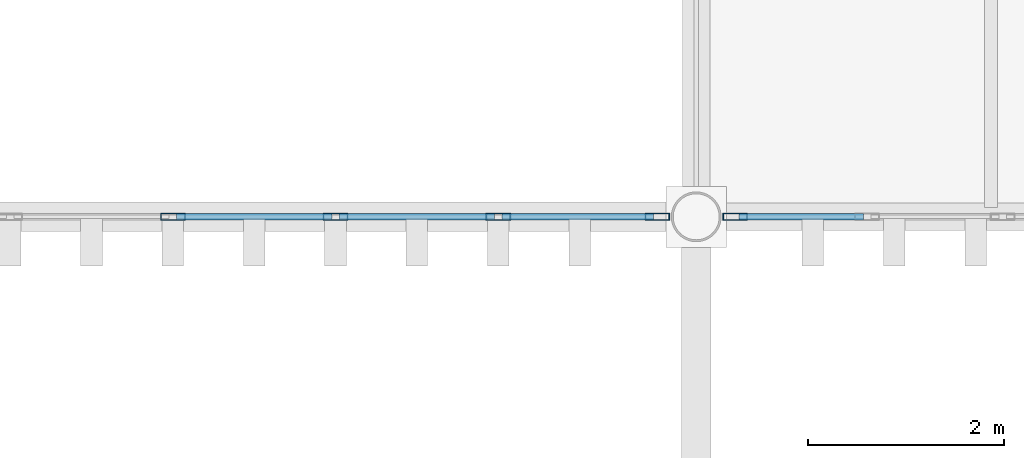
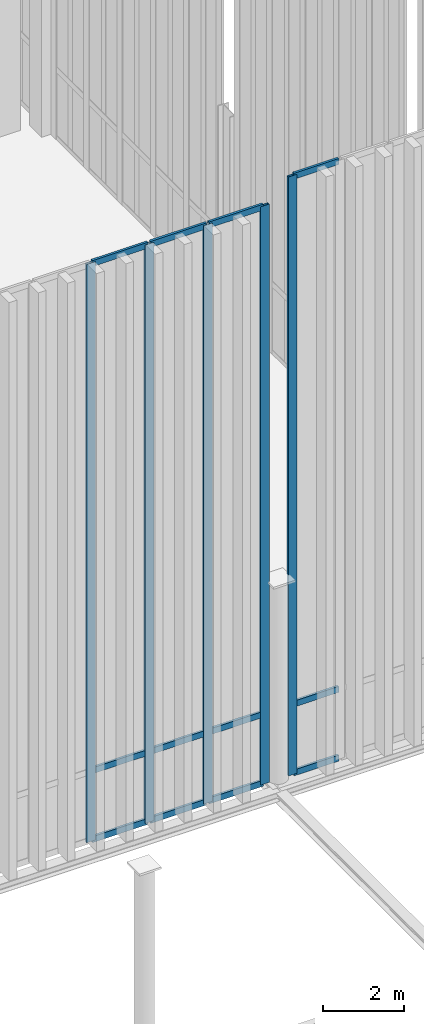
# One storey, part 45 of 237: 17 members, 2 elements without a shape of their own.
"""IFC4 building model written with IfcOpenShell, lengths in metres."""

from ifc_helpers import new_model, si_unit, direction, frame, origin, origin_2d, place, context, subcontext, project, spatial, hollow_rectangle, extrude, material, layer, layer_set, material_profile, profile_set, type_object, element, aggregate, save


model = new_model("IFC4")

# Units and contexts
model_context = context("Model", 3, precision=1e-05, world=origin(), true_north=direction((0.0, 1.0)))
body_context = subcontext(model_context, "Body", "Model", "MODEL_VIEW")
ifc_project = project(units=[si_unit("LENGTHUNIT", "METRE"), si_unit("AREAUNIT", "SQUARE_METRE"), si_unit("VOLUMEUNIT", "CUBIC_METRE"), si_unit("PLANEANGLEUNIT", "RADIAN"), si_unit("MASSUNIT", "GRAM", prefix="KILO")], contexts=[model_context])

# Site, building, storey
site_placement = place(None, origin())
site = spatial("IfcSite", under=ifc_project, at=site_placement, CompositionType="ELEMENT")
building_placement = place(site_placement, origin())
building = spatial("IfcBuilding", under=site, at=building_placement, Name="Barlavento Convention Centre", CompositionType="ELEMENT")
storey_placement = place(building_placement, frame((0.0, 0.0, 12.0)))
storey = spatial("IfcBuildingStorey", under=building, at=storey_placement, Name="L02", CompositionType="ELEMENT", Elevation=12.0)

# Curtain wall, member
ifc_material_1 = material(Name="Powder-coated aluminium and Low-E glass", Category="aluminium")
ifc_layer = layer(ifc_material_1, 0.18994140625)
ifc_layer_set = layer_set([ifc_layer], Name="ARC-CW-CONG-L02")
curtain_wall_type = type_object("IfcCurtainWallType", Name="ARC-CW-CONG-L02", PredefinedType="NOTDEFINED", material=ifc_layer_set)
curtain_wall_1_placement = place(storey_placement, origin())
curtain_wall_1 = element("IfcCurtainWall", 1, at=curtain_wall_1_placement, inside=storey, type_object=curtain_wall_type, Name="L02 unitised curtain wall CW02", PredefinedType="NOTDEFINED")
ifc_material_2 = material(Name="Powder-coated aluminium", Category="aluminium")
ifc_material_profile_1 = material_profile(ifc_material_2, hollow_rectangle(XDim=0.074951171875, YDim=0.25, WallThickness=0.006103515625, at=origin_2d()), Name="AL-MULL 75x250x6")
ifc_profile_set_1 = profile_set([ifc_material_profile_1], Name="Powder-coated aluminium")
member_type_1 = type_object("IfcMemberType", Name="ARC-CWM-75X250", PredefinedType="MULLION", material=ifc_profile_set_1)
member_1_placement = place(storey_placement, frame((54.396484375, 9.0, 0.0), z_axis=(0.0, 0.0, 1.0), x_axis=(0.0, 1.0, 0.0)))
member_1 = element("IfcMember", 2, at=member_1_placement, type_object=member_type_1, Name="CW02 mullion 1", PredefinedType="MULLION", context=body_context, shape_type="SweptSolid", body=[
    extrude(hollow_rectangle(XDim=0.074951171875, YDim=0.25, WallThickness=0.006103515625, at=origin_2d()), origin(), (0.0, 0.0, 1.0), 17.971923828125),
])

# Curtain wall, members
curtain_wall_2_placement = place(storey_placement, origin())
curtain_wall_2 = element("IfcCurtainWall", 3, at=curtain_wall_2_placement, inside=storey, type_object=curtain_wall_type, Name="L02 unitised curtain wall CW02", PredefinedType="NOTDEFINED")
member_2_placement = place(storey_placement, frame((48.671875, 9.0, 0.0), z_axis=(0.0, 0.0, 1.0), x_axis=(0.0, 1.0, 0.0)))
member_2 = element("IfcMember", 4, at=member_2_placement, type_object=member_type_1, Name="CW02 mullion 3", PredefinedType="MULLION", context=body_context, shape_type="SweptSolid", body=[
    extrude(hollow_rectangle(XDim=0.074951171875, YDim=0.25, WallThickness=0.006103515625, at=origin_2d()), origin(), (0.0, 0.0, 1.0), 17.35400390625),
])
member_3_placement = place(storey_placement, frame((50.328125, 9.0, 0.0), z_axis=(0.0, 0.0, 1.0), x_axis=(0.0, 1.0, 0.0)))
member_3 = element("IfcMember", 5, at=member_3_placement, type_object=member_type_1, Name="CW02 mullion 4", PredefinedType="MULLION", context=body_context, shape_type="SweptSolid", body=[
    extrude(hollow_rectangle(XDim=0.074951171875, YDim=0.25, WallThickness=0.006103515625, at=origin_2d()), origin(), (0.0, 0.0, 1.0), 17.35400390625),
])
member_4_placement = place(storey_placement, frame((51.984619140625, 9.0, 0.0), z_axis=(0.0, 0.0, 1.0), x_axis=(0.0, 1.0, 0.0)))
member_4 = element("IfcMember", 6, at=member_4_placement, type_object=member_type_1, Name="CW02 mullion 5", PredefinedType="MULLION", context=body_context, shape_type="SweptSolid", body=[
    extrude(hollow_rectangle(XDim=0.074951171875, YDim=0.25, WallThickness=0.006103515625, at=origin_2d()), origin(), (0.0, 0.0, 1.0), 17.35400390625),
])
member_5_placement = place(storey_placement, frame((53.603515625, 9.0, 0.0), z_axis=(0.0, 0.0, 1.0), x_axis=(0.0, 1.0, 0.0)))
member_5 = element("IfcMember", 7, at=member_5_placement, type_object=member_type_1, Name="CW02 mullion 6", PredefinedType="MULLION", context=body_context, shape_type="SweptSolid", body=[
    extrude(hollow_rectangle(XDim=0.074951171875, YDim=0.25, WallThickness=0.006103515625, at=origin_2d()), origin(), (0.0, 0.0, 1.0), 17.35400390625),
])

# Member
ifc_material_profile_2 = material_profile(ifc_material_2, hollow_rectangle(XDim=0.070068359375, YDim=0.179931640625, WallThickness=0.0048828125, at=origin_2d()), Name="AL-TRAN 70x180x5")
ifc_profile_set_2 = profile_set([ifc_material_profile_2], Name="Powder-coated aluminium")
member_type_2 = type_object("IfcMemberType", Name="ARC-CWT-70X180", PredefinedType="USERDEFINED", material=ifc_profile_set_2)
member_6_placement = place(storey_placement, frame((54.43408203125, 9.0, 0.034912109375), z_axis=(1.0, 0.0, 0.0), x_axis=(0.0, 1.0, 0.0)))
member_6 = element("IfcMember", 8, at=member_6_placement, type_object=member_type_2, Name="CW02 transom 1.1", ObjectType="TRANSOM", PredefinedType="USERDEFINED", context=body_context, shape_type="SweptSolid", body=[
    extrude(hollow_rectangle(XDim=0.070068359375, YDim=0.179931640625, WallThickness=0.0048828125, at=origin_2d()), origin(), (0.0, 0.0, 1.0), 1.267822265625),
])

member_7_placement = place(storey_placement, frame((54.43408203125, 9.0, 2.10009765625), z_axis=(1.0, 0.0, 0.0), x_axis=(0.0, 1.0, 0.0)))
member_7 = element("IfcMember", 9, at=member_7_placement, type_object=member_type_2, Name="CW02 transom 1.2", ObjectType="TRANSOM", PredefinedType="USERDEFINED", context=body_context, shape_type="SweptSolid", body=[
    extrude(hollow_rectangle(XDim=0.070068359375, YDim=0.179931640625, WallThickness=0.0048828125, at=origin_2d()), origin(), (0.0, 0.0, 1.0), 1.267822265625),
])

member_8_placement = place(storey_placement, frame((54.43408203125, 9.0, 17.93701171875), z_axis=(1.0, 0.0, 0.0), x_axis=(0.0, 1.0, 0.0)))
member_8 = element("IfcMember", 10, at=member_8_placement, type_object=member_type_2, Name="CW02 transom 1.3", ObjectType="TRANSOM", PredefinedType="USERDEFINED", context=body_context, shape_type="SweptSolid", body=[
    extrude(hollow_rectangle(XDim=0.070068359375, YDim=0.179931640625, WallThickness=0.0048828125, at=origin_2d()), origin(), (0.0, 0.0, 1.0), 1.267822265625),
])

aggregate(curtain_wall_1, [member_1, member_6, member_7, member_8])

member_9_placement = place(storey_placement, frame((48.709228515625, 9.0, 0.034912109375), z_axis=(1.0, 0.0, 0.0), x_axis=(0.0, 1.0, 0.0)))
member_9 = element("IfcMember", 11, at=member_9_placement, type_object=member_type_2, Name="CW02 transom 3.1", ObjectType="TRANSOM", PredefinedType="USERDEFINED", context=body_context, shape_type="SweptSolid", body=[
    extrude(hollow_rectangle(XDim=0.070068359375, YDim=0.179931640625, WallThickness=0.0048828125, at=origin_2d()), origin(), (0.0, 0.0, 1.0), 1.58154296875),
])

member_10_placement = place(storey_placement, frame((48.709228515625, 9.0, 2.10009765625), z_axis=(1.0, 0.0, 0.0), x_axis=(0.0, 1.0, 0.0)))
member_10 = element("IfcMember", 12, at=member_10_placement, type_object=member_type_2, Name="CW02 transom 3.2", ObjectType="TRANSOM", PredefinedType="USERDEFINED", context=body_context, shape_type="SweptSolid", body=[
    extrude(hollow_rectangle(XDim=0.070068359375, YDim=0.179931640625, WallThickness=0.0048828125, at=origin_2d()), origin(), (0.0, 0.0, 1.0), 1.58154296875),
])

member_11_placement = place(storey_placement, frame((48.709228515625, 9.0, 17.319091796875), z_axis=(1.0, 0.0, 0.0), x_axis=(0.0, 1.0, 0.0)))
member_11 = element("IfcMember", 13, at=member_11_placement, type_object=member_type_2, Name="CW02 transom 3.3", ObjectType="TRANSOM", PredefinedType="USERDEFINED", context=body_context, shape_type="SweptSolid", body=[
    extrude(hollow_rectangle(XDim=0.070068359375, YDim=0.179931640625, WallThickness=0.0048828125, at=origin_2d()), origin(), (0.0, 0.0, 1.0), 1.58154296875),
])

member_12_placement = place(storey_placement, frame((50.36572265625, 9.0, 0.034912109375), z_axis=(1.0, 0.0, 0.0), x_axis=(0.0, 1.0, 0.0)))
member_12 = element("IfcMember", 14, at=member_12_placement, type_object=member_type_2, Name="CW02 transom 4.1", ObjectType="TRANSOM", PredefinedType="USERDEFINED", context=body_context, shape_type="SweptSolid", body=[
    extrude(hollow_rectangle(XDim=0.070068359375, YDim=0.179931640625, WallThickness=0.0048828125, at=origin_2d()), origin(), (0.0, 0.0, 1.0), 1.581298828125),
])

member_13_placement = place(storey_placement, frame((50.36572265625, 9.0, 2.10009765625), z_axis=(1.0, 0.0, 0.0), x_axis=(0.0, 1.0, 0.0)))
member_13 = element("IfcMember", 15, at=member_13_placement, type_object=member_type_2, Name="CW02 transom 4.2", ObjectType="TRANSOM", PredefinedType="USERDEFINED", context=body_context, shape_type="SweptSolid", body=[
    extrude(hollow_rectangle(XDim=0.070068359375, YDim=0.179931640625, WallThickness=0.0048828125, at=origin_2d()), origin(), (0.0, 0.0, 1.0), 1.581298828125),
])

member_14_placement = place(storey_placement, frame((50.36572265625, 9.0, 17.319091796875), z_axis=(1.0, 0.0, 0.0), x_axis=(0.0, 1.0, 0.0)))
member_14 = element("IfcMember", 16, at=member_14_placement, type_object=member_type_2, Name="CW02 transom 4.3", ObjectType="TRANSOM", PredefinedType="USERDEFINED", context=body_context, shape_type="SweptSolid", body=[
    extrude(hollow_rectangle(XDim=0.070068359375, YDim=0.179931640625, WallThickness=0.0048828125, at=origin_2d()), origin(), (0.0, 0.0, 1.0), 1.581298828125),
])

member_15_placement = place(storey_placement, frame((52.022216796875, 9.0, 0.034912109375), z_axis=(1.0, 0.0, 0.0), x_axis=(0.0, 1.0, 0.0)))
member_15 = element("IfcMember", 17, at=member_15_placement, type_object=member_type_2, Name="CW02 transom 5.1", ObjectType="TRANSOM", PredefinedType="USERDEFINED", context=body_context, shape_type="SweptSolid", body=[
    extrude(hollow_rectangle(XDim=0.070068359375, YDim=0.179931640625, WallThickness=0.0048828125, at=origin_2d()), origin(), (0.0, 0.0, 1.0), 1.543701171875),
])

member_16_placement = place(storey_placement, frame((52.022216796875, 9.0, 2.10009765625), z_axis=(1.0, 0.0, 0.0), x_axis=(0.0, 1.0, 0.0)))
member_16 = element("IfcMember", 18, at=member_16_placement, type_object=member_type_2, Name="CW02 transom 5.2", ObjectType="TRANSOM", PredefinedType="USERDEFINED", context=body_context, shape_type="SweptSolid", body=[
    extrude(hollow_rectangle(XDim=0.070068359375, YDim=0.179931640625, WallThickness=0.0048828125, at=origin_2d()), origin(), (0.0, 0.0, 1.0), 1.543701171875),
])

member_17_placement = place(storey_placement, frame((52.022216796875, 9.0, 17.319091796875), z_axis=(1.0, 0.0, 0.0), x_axis=(0.0, 1.0, 0.0)))
member_17 = element("IfcMember", 19, at=member_17_placement, type_object=member_type_2, Name="CW02 transom 5.3", ObjectType="TRANSOM", PredefinedType="USERDEFINED", context=body_context, shape_type="SweptSolid", body=[
    extrude(hollow_rectangle(XDim=0.070068359375, YDim=0.179931640625, WallThickness=0.0048828125, at=origin_2d()), origin(), (0.0, 0.0, 1.0), 1.543701171875),
])

aggregate(curtain_wall_2, [member_2, member_3, member_4, member_5, member_9, member_10, member_11, member_12, member_13, member_14, member_15, member_16, member_17])

save(model, "model.ifc")
